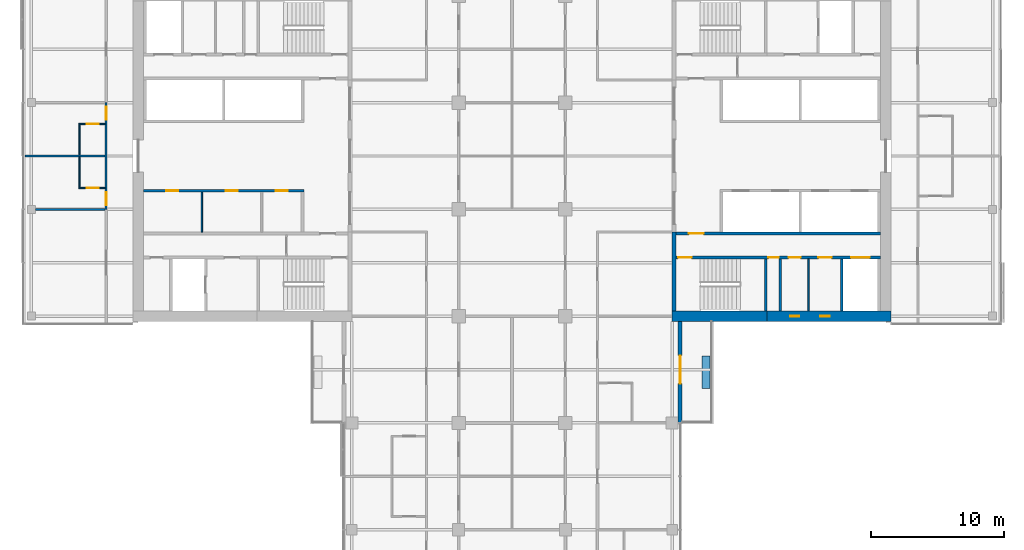
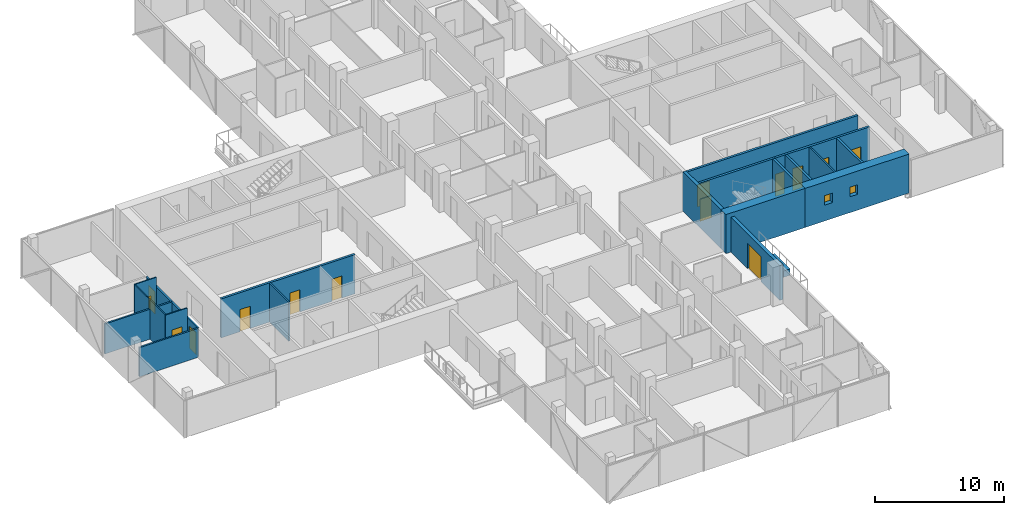
# One storey, part 17 of 27: 21 walls, 14 doors, 2 windows, 16 openings.
"""IFC4 building model written with IfcOpenShell, lengths in metres."""

import ifcopenshell
import ifcopenshell.guid

model = None  # the IFC model being written
_history = None  # IfcOwnerHistory: only IFC2X3 demands one
_inside = {}  # id of a spatial element -> (the spatial element, [elements in it])
_under = {}  # id of a project, library or spatial element -> (it, [spatial elements below it])
_declared = {}  # id of a project -> (the project, [libraries it declares])
_typed = {}  # id of a type object -> (the type object, [elements of that type])
_made_of = {}  # id of a material, layer set ... -> (it, [elements and type objects made of it])


def new_model(schema):
    """Start an empty IFC model of exactly this schema.

    Asked for "IFC4X3", IfcOpenShell would pick the latest addendum, in which some entities
    have other attributes; the version numbers below select the first issue.
    IFC2X3 requires an IfcOwnerHistory on every rooted entity: one is made here for all.
    """
    global model, _history
    if schema == "IFC4X3":
        model = ifcopenshell.file(schema_version=(4, 3, 0, 0))
    else:
        model = ifcopenshell.file(schema=schema)
    _inside.clear()
    _under.clear()
    _declared.clear()
    _typed.clear()
    _made_of.clear()
    _history = None
    if model.schema == "IFC2X3":
        org = make("IfcOrganization", Name="unknown")
        user = make(
            "IfcPersonAndOrganization",
            ThePerson=make("IfcPerson", FamilyName="unknown"),
            TheOrganization=org,
        )
        app = make(
            "IfcApplication",
            ApplicationDeveloper=org,
            Version="unknown",
            ApplicationFullName="unknown",
            ApplicationIdentifier="unknown",
        )
        _history = make(
            "IfcOwnerHistory",
            OwningUser=user,
            OwningApplication=app,
            ChangeAction="ADDED",
            CreationDate=0,
        )
    return model


def make(cls, **values):
    """One entity of the class cls with the attributes given. An attribute that is None is left unset."""
    return model.create_entity(
        cls, **{name: value for name, value in values.items() if value is not None}
    )


def rooted(cls, **values):
    """An entity with a GlobalId (a new one), such as an element, a storey or a relation."""
    return make(cls, GlobalId=ifcopenshell.guid.new(), OwnerHistory=_history, **values)


def si_unit(unit_type, name, prefix=None):
    """IfcSIUnit, for example si_unit("LENGTHUNIT", "METRE", prefix="MILLI")."""
    return make("IfcSIUnit", UnitType=unit_type, Prefix=prefix, Name=name)


def assignment(units):
    """IfcUnitAssignment: the units of a project."""
    return None if units is None else make("IfcUnitAssignment", Units=units)


def point(xyz):
    """IfcCartesianPoint."""
    return None if xyz is None else make("IfcCartesianPoint", Coordinates=xyz)


def direction(xyz):
    """IfcDirection."""
    return None if xyz is None else make("IfcDirection", DirectionRatios=xyz)


def frame(location, z_axis=None, x_axis=None):
    """IfcAxis2Placement3D, a coordinate frame: its origin and axes. An axis left out is left unset."""
    return make(
        "IfcAxis2Placement3D",
        Location=point(location),
        Axis=direction(z_axis),
        RefDirection=direction(x_axis),
    )


def frame_2d(location, x_axis=None):
    """IfcAxis2Placement2D, a coordinate frame in the plane: its origin and x axis."""
    return make(
        "IfcAxis2Placement2D", Location=point(location), RefDirection=direction(x_axis)
    )


def origin():
    """The frame at (0, 0, 0) with its axes left unset."""
    return frame((0.0, 0.0, 0.0))


def place(relative_to, where):
    """IfcLocalPlacement: puts the frame where relative to a parent placement (None: the world)."""
    return make(
        "IfcLocalPlacement", PlacementRelTo=relative_to, RelativePlacement=where
    )


def context(
    kind, dimensions, precision=None, world=None, true_north=None, identifier=None
):
    """IfcGeometricRepresentationContext, for example the 3D "Model" context."""
    return make(
        "IfcGeometricRepresentationContext",
        ContextIdentifier=identifier,
        ContextType=kind,
        CoordinateSpaceDimension=dimensions,
        Precision=precision,
        WorldCoordinateSystem=world,
        TrueNorth=true_north,
    )


def subcontext(parent, identifier, kind, view, scale=None):
    """IfcGeometricRepresentationSubContext, for example "Body" below "Model"."""
    return make(
        "IfcGeometricRepresentationSubContext",
        ContextIdentifier=identifier,
        ContextType=kind,
        ParentContext=parent,
        TargetScale=scale,
        TargetView=view,
    )


def project(units=None, contexts=None):
    """IfcProject with its units and contexts."""
    return rooted(
        "IfcProject",
        Name="project",
        RepresentationContexts=contexts,
        UnitsInContext=assignment(units),
    )


def spatial(cls, under=None, at=None, **own):
    """A site, building, storey or space (cls), placed at a placement, below another one or the project."""
    s = rooted(cls, ObjectPlacement=at, **own)
    if under is not None:
        _under.setdefault(under.id(), (under, []))[1].append(s)
    return s


def profile(cls, at=None, kind="AREA", **sizes):
    """A parametric profile (cls). Its sizes go by their IFC names, for example OverallWidth=200.0."""
    return make(cls, ProfileType=kind, Position=at, **sizes)


def rectangle(**sizes):
    """IfcRectangleProfileDef."""
    return profile("IfcRectangleProfileDef", **sizes)


def extrude(swept, where, along, depth):
    """IfcExtrudedAreaSolid: the profile swept, set in the frame where, extruded along a direction by depth."""
    return make(
        "IfcExtrudedAreaSolid",
        SweptArea=swept,
        Position=where,
        ExtrudedDirection=direction(along),
        Depth=depth,
    )


def shape(context_of_items, identifier, shape_type, items):
    """IfcShapeRepresentation: the items that make up one representation, for example the "Body"."""
    return make(
        "IfcShapeRepresentation",
        ContextOfItems=context_of_items,
        RepresentationIdentifier=identifier,
        RepresentationType=shape_type,
        Items=items,
    )


def material(Name=None, Category=None):
    """IfcMaterial."""
    return make("IfcMaterial", Name=Name, Category=Category)


def layer(
    of_material, thickness, ventilated=None, Name=None, Category=None, Priority=None
):
    """IfcMaterialLayer: one layer of a wall or slab, of a material (None: an air gap)."""
    return make(
        "IfcMaterialLayer",
        Material=of_material,
        LayerThickness=thickness,
        IsVentilated=ventilated,
        Name=Name,
        Category=Category,
        Priority=Priority,
    )


def layer_set(layers, Name=None):
    """IfcMaterialLayerSet."""
    return make("IfcMaterialLayerSet", MaterialLayers=layers, LayerSetName=Name)


def constituent(of_material, Name=None, Category=None, fraction=None):
    """IfcMaterialConstituent: one of the materials an element consists of."""
    return make(
        "IfcMaterialConstituent",
        Name=Name,
        Material=of_material,
        Fraction=fraction,
        Category=Category,
    )


def constituent_set(constituents=None, Name=None):
    """IfcMaterialConstituentSet."""
    return make(
        "IfcMaterialConstituentSet", Name=Name, MaterialConstituents=constituents
    )


def made_of(thing, what):
    """Note that an element or type object is made of a material, layer set ...; save() writes the relation."""
    if what is not None:
        _made_of.setdefault(what.id(), (what, []))[1].append(thing)
    return thing


def type_object(cls, material=None, **own):
    """A type object (cls), such as IfcWallType, which elements share."""
    return made_of(rooted(cls, **own), material)


def element(
    cls,
    number,
    at=None,
    inside=None,
    cuts=None,
    type_object=None,
    material=None,
    context=None,
    identifier="Body",
    shape_type=None,
    held_by="IfcProductDefinitionShape",
    body=None,
    shapes=None,
    **own,
):
    """One element of the class cls, such as IfcWall. Its Tag is "e" and its number.

    at: its placement. inside: the storey or other place that contains it. cuts: it is an
    opening in that element (IfcRelVoidsElement). A single representation is given by context,
    identifier, shape_type and body (its items); several are given by shapes. held_by: the class
    of the entity that holds the representations. save() writes the other relations.
    """
    e = rooted(cls, Tag="e%d" % number, ObjectPlacement=at, **own)
    if body is not None:
        shapes = [shape(context, identifier, shape_type, body)]
    if shapes is not None:
        e.Representation = make(held_by, Representations=shapes)
    if inside is not None:
        _inside.setdefault(inside.id(), (inside, []))[1].append(e)
    if cuts is not None:
        rooted(
            "IfcRelVoidsElement", RelatingBuildingElement=cuts, RelatedOpeningElement=e
        )
    if type_object is not None:
        _typed.setdefault(type_object.id(), (type_object, []))[1].append(e)
    return made_of(e, material)


def fill(opening, filler):
    """IfcRelFillsElement: the door or window that sits in an opening."""
    return rooted(
        "IfcRelFillsElement",
        RelatingOpeningElement=opening,
        RelatedBuildingElement=filler,
    )


def aggregate(whole, parts):
    """IfcRelAggregates: a whole, such as a stair, and the parts it consists of."""
    return rooted("IfcRelAggregates", RelatingObject=whole, RelatedObjects=parts)


def save(model, path):
    """Write the relations noted so far, then the file.

    IfcRelAggregates (storeys below a building ...), IfcRelContainedInSpatialStructure (elements
    in a storey), IfcRelDefinesByType, IfcRelAssociatesMaterial and IfcRelDeclares: one each for
    every whole, place, type object, material and project.
    """
    for whole, parts in _under.values():
        aggregate(whole, parts)
    for where, things in _inside.values():
        rooted(
            "IfcRelContainedInSpatialStructure",
            RelatedElements=things,
            RelatingStructure=where,
        )
    for kind, things in _typed.values():
        rooted("IfcRelDefinesByType", RelatedObjects=things, RelatingType=kind)
    for what, things in _made_of.values():
        rooted("IfcRelAssociatesMaterial", RelatedObjects=things, RelatingMaterial=what)
    for by, libraries in _declared.values():
        rooted("IfcRelDeclares", RelatingContext=by, RelatedDefinitions=libraries)
    model.write(path)


model = new_model("IFC4")

# Units and contexts
model_context = context("Model", 3, precision=1e-05, world=origin(), true_north=direction((0.0, 1.0)))
body_context = subcontext(model_context, "Body", "Model", "MODEL_VIEW")
ifc_project = project(units=[si_unit("LENGTHUNIT", "METRE"), si_unit("AREAUNIT", "SQUARE_METRE"), si_unit("VOLUMEUNIT", "CUBIC_METRE"), si_unit("PLANEANGLEUNIT", "RADIAN"), si_unit("MASSUNIT", "GRAM", prefix="KILO")], contexts=[model_context])

# Site, building, storey
site_placement = place(None, origin())
site = spatial("IfcSite", under=ifc_project, at=site_placement, CompositionType="ELEMENT")
building_placement = place(site_placement, origin())
building = spatial("IfcBuilding", under=site, at=building_placement, Name="Crosswind Convention Tower", CompositionType="ELEMENT")
storey_placement = place(building_placement, frame((0.0, 0.0, 101.60009765625)))
storey = spatial("IfcBuildingStorey", under=building, at=storey_placement, Name="L20", CompositionType="ELEMENT", Elevation=101.60009765625)

# Walls
ifc_material_1 = material(Name="Concrete blockwork", Category="masonry")
ifc_layer_1 = layer(ifc_material_1, 0.199951171875)
ifc_layer_set_1 = layer_set([ifc_layer_1], Name="Blockwork partition wall 200")
wall_type_1 = type_object("IfcWallType", Name="Blockwork partition wall 200", PredefinedType="PARTITIONING", material=ifc_layer_set_1)
wall_1_placement = place(storey_placement, frame((145.10009765625, 88.39990234375, 0.0), z_axis=(0.0, 0.0, 1.0), x_axis=(0.0, 1.0, 0.0)))
element("IfcWall", 1, at=wall_1_placement, inside=storey, type_object=wall_type_1, Name="Wall MRSE E L20", PredefinedType="PARTITIONING", context=body_context, shape_type="SweptSolid", body=[
    extrude(rectangle(XDim=3.900146484375, YDim=0.199951171875, at=frame_2d((1.9501953125, 0.0))), origin(), (0.0, 0.0, 1.0), 3.699951171875),
])
ifc_material_2 = material(Name="Concrete C50/60", Category="concrete")
ifc_layer_2 = layer(ifc_material_2, 0.300048828125)
ifc_layer_set_2 = layer_set([ifc_layer_2], Name="Concrete C50/60")
wall_type_2 = type_object("IfcWallType", Name="Concrete inner core wall 300", PredefinedType="SHEAR", material=ifc_layer_set_2)
wall_2_placement = place(storey_placement, frame((137.14990234375, 88.39990234375, 0.0), z_axis=(0.0, 0.0, 1.0), x_axis=(0.0, 1.0, 0.0)))
element("IfcWall", 2, at=wall_2_placement, inside=storey, type_object=wall_type_2, Name="Wall EM E L20", PredefinedType="SHEAR", context=body_context, shape_type="SweptSolid", body=[
    extrude(rectangle(XDim=5.900146484375, YDim=0.300048828125, at=frame_2d((2.9501953125, 0.0))), origin(), (0.0, 0.0, 1.0), 3.699951171875),
])

# Wall, opening, door
ifc_layer_3 = layer(ifc_material_2, 0.199951171875)
ifc_layer_set_3 = layer_set([ifc_layer_3], Name="Concrete C50/60")
wall_type_3 = type_object("IfcWallType", Name="Concrete shaft and stair wall 200", PredefinedType="SHEAR", material=ifc_layer_set_3)
wall_3_placement = place(storey_placement, frame((137.300048828125, 94.199951171875, 0.0), z_axis=(0.0, 0.0, 1.0), x_axis=(1.0, 0.0, 0.0)))
wall_3 = element("IfcWall", 3, at=wall_3_placement, inside=storey, type_object=wall_type_3, Name="Wall HM E L20", PredefinedType="SHEAR", context=body_context, shape_type="SweptSolid", body=[
    extrude(rectangle(XDim=15.300048828125, YDim=0.199951171875, at=frame_2d((7.64990234375, 0.0))), origin(), (0.0, 0.0, 1.0), 3.699951171875),
])
opening_1_placement = place(wall_3_placement, frame((0.949951171875, 0.0, 0.0)))
opening_1 = element("IfcOpeningElement", 4, at=opening_1_placement, cuts=wall_3, Name="Opening D104", PredefinedType="OPENING", context=body_context, shape_type="SweptSolid", body=[
    extrude(rectangle(XDim=1.10009765625, YDim=2.10009765625, at=frame_2d((0.550048828125, 1.050048828125))), frame((0.0, 0.10986328125, 0.0), z_axis=(0.0, -1.0, 0.0), x_axis=(1.0, 0.0, 0.0)), (0.0, 0.0, 1.0), 0.219970703125),
])
ifc_material_3 = material(Name="Steel fire door", Category="steel")
door_type_1 = type_object("IfcDoorType", Name="Fire-rated single door 1100x2100", OperationType="NOTDEFINED", PredefinedType="DOOR", material=ifc_material_3)
door_1_placement = place(opening_1_placement, origin())
door_1 = element("IfcDoor", 5, at=door_1_placement, inside=storey, type_object=door_type_1, Name="Corridor door L20", ObjectType="D104", OperationType="SINGLE_SWING_LEFT", OverallHeight=2.10009765625, OverallWidth=1.10009765625, PredefinedType="DOOR", context=body_context, shape_type="SweptSolid", body=[
    extrude(rectangle(XDim=1.10009765625, YDim=2.10009765625, at=frame_2d((0.550048828125, 1.050048828125))), frame((0.0, 0.02490234375, 0.0), z_axis=(0.0, -1.0, 0.0), x_axis=(1.0, 0.0, 0.0)), (0.0, 0.0, 1.0), 0.050048828125),
])
fill(opening_1, door_1)

# Walls
for number, where, z_axis, x_axis, name in (
    (6, (144.0, 88.39990234375, 0.0), (0.0, 0.0, 1.0), (0.0, 1.0, 0.0), "Wall MSE E L20"),
    (7, (149.699951171875, 88.39990234375, 0.0), (0.0, 0.0, 1.0), (0.0, 1.0, 0.0), "Wall MFSW E L20"),
):
    element("IfcWall", number, at=place(storey_placement, frame(where, z_axis=z_axis, x_axis=x_axis)), inside=storey, type_object=wall_type_3, Name=name, PredefinedType="SHEAR", context=body_context, shape_type="SweptSolid", body=[
        extrude(rectangle(XDim=3.900146484375, YDim=0.199951171875, at=frame_2d((1.9501953125, 0.0))), origin(), (0.0, 0.0, 1.0), 3.699951171875),
    ])

# Wall, opening, door
wall_4_placement = place(storey_placement, frame((137.300048828125, 92.39990234375, 0.0), z_axis=(0.0, 0.0, 1.0), x_axis=(1.0, 0.0, 0.0)))
wall_4 = element("IfcWall", 8, at=wall_4_placement, inside=storey, type_object=wall_type_3, Name="Wall MCW E L20", PredefinedType="SHEAR", context=body_context, shape_type="SweptSolid", body=[
    extrude(rectangle(XDim=6.800048828125, YDim=0.199951171875, at=frame_2d((3.39990234375, 0.0))), origin(), (0.0, 0.0, 1.0), 3.699951171875),
])
opening_2_placement = place(wall_4_placement, frame((0.14990234375, 0.0, 0.0)))
opening_2 = element("IfcOpeningElement", 9, at=opening_2_placement, cuts=wall_4, Name="Opening D103", PredefinedType="OPENING", context=body_context, shape_type="SweptSolid", body=[
    extrude(rectangle(XDim=1.0, YDim=2.10009765625, at=frame_2d((0.5, 1.050048828125))), frame((0.0, 0.10986328125, 0.0), z_axis=(0.0, -1.0, 0.0), x_axis=(1.0, 0.0, 0.0)), (0.0, 0.0, 1.0), 0.219970703125),
])
door_type_2 = type_object("IfcDoorType", Name="Fire-rated single door 1000x2100", OperationType="NOTDEFINED", PredefinedType="DOOR", material=ifc_material_3)
door_2_placement = place(opening_2_placement, frame((1.0, 0.0, 0.0), z_axis=(0.0, 0.0, 1.0), x_axis=(-1.0, 0.0, 0.0)))
door_2 = element("IfcDoor", 10, at=door_2_placement, inside=storey, type_object=door_type_2, Name="Stair ST2 door L20", ObjectType="D103", OperationType="SINGLE_SWING_RIGHT", OverallHeight=2.10009765625, OverallWidth=1.0, PredefinedType="DOOR", context=body_context, shape_type="SweptSolid", body=[
    extrude(rectangle(XDim=1.0, YDim=2.10009765625, at=frame_2d((0.5, 1.050048828125))), frame((0.0, 0.02490234375, 0.0), z_axis=(0.0, -1.0, 0.0), x_axis=(1.0, 0.0, 0.0)), (0.0, 0.0, 1.0), 0.050048828125),
])
fill(opening_2, door_2)

# Wall, openings, doors
wall_5_placement = place(storey_placement, frame((144.10009765625, 92.39990234375, 0.0), z_axis=(0.0, 0.0, 1.0), x_axis=(1.0, 0.0, 0.0)))
wall_5 = element("IfcWall", 11, at=wall_5_placement, inside=storey, type_object=wall_type_3, Name="Wall MCX E L20", PredefinedType="SHEAR", context=body_context, shape_type="SweptSolid", body=[
    extrude(rectangle(XDim=8.5, YDim=0.199951171875, at=frame_2d((4.25, 0.0))), origin(), (0.0, 0.0, 1.0), 3.699951171875),
])
opening_3_placement = place(wall_5_placement, frame((0.10009765625, 0.0, 0.0)))
opening_3 = element("IfcOpeningElement", 12, at=opening_3_placement, cuts=wall_5, Name="Opening D105", PredefinedType="OPENING", context=body_context, shape_type="SweptSolid", body=[
    extrude(rectangle(XDim=0.800048828125, YDim=2.10009765625, at=frame_2d((0.39990234375, 1.050048828125))), frame((0.0, 0.10986328125, 0.0), z_axis=(0.0, -1.0, 0.0), x_axis=(1.0, 0.0, 0.0)), (0.0, 0.0, 1.0), 0.219970703125),
])
opening_4_placement = place(wall_5_placement, frame((1.630859375, 0.0, 0.0)))
opening_4 = element("IfcOpeningElement", 13, at=opening_4_placement, cuts=wall_5, Name="Opening D106", PredefinedType="OPENING", context=body_context, shape_type="SweptSolid", body=[
    extrude(rectangle(XDim=0.89990234375, YDim=2.10009765625, at=frame_2d((0.449951171875, 1.050048828125))), frame((0.0, 0.10986328125, 0.0), z_axis=(0.0, -1.0, 0.0), x_axis=(1.0, 0.0, 0.0)), (0.0, 0.0, 1.0), 0.219970703125),
])
opening_5_placement = place(wall_5_placement, frame((3.84326171875, 0.0, 0.0)))
opening_5 = element("IfcOpeningElement", 14, at=opening_5_placement, cuts=wall_5, Name="Opening D103", PredefinedType="OPENING", context=body_context, shape_type="SweptSolid", body=[
    extrude(rectangle(XDim=1.0, YDim=2.10009765625, at=frame_2d((0.5, 1.050048828125))), frame((0.0, 0.10986328125, 0.0), z_axis=(0.0, -1.0, 0.0), x_axis=(1.0, 0.0, 0.0)), (0.0, 0.0, 1.0), 0.219970703125),
])
opening_6_placement = place(wall_5_placement, frame((6.300048828125, 0.0, 0.0)))
opening_6 = element("IfcOpeningElement", 15, at=opening_6_placement, cuts=wall_5, Name="Opening LD2", PredefinedType="OPENING", context=body_context, shape_type="SweptSolid", body=[
    extrude(rectangle(XDim=1.39990234375, YDim=2.10009765625, at=frame_2d((0.699951171875, 1.050048828125))), frame((0.0, 0.10986328125, 0.0), z_axis=(0.0, -1.0, 0.0), x_axis=(1.0, 0.0, 0.0)), (0.0, 0.0, 1.0), 0.219970703125),
])
door_3_placement = place(opening_5_placement, frame((1.0, 0.0, 0.0), z_axis=(0.0, 0.0, 1.0), x_axis=(-1.0, 0.0, 0.0)))
door_3 = element("IfcDoor", 16, at=door_3_placement, inside=storey, type_object=door_type_2, Name="Door to accessible wc L20", ObjectType="D103", OperationType="SINGLE_SWING_LEFT", OverallHeight=2.10009765625, OverallWidth=1.0, PredefinedType="DOOR", context=body_context, shape_type="SweptSolid", body=[
    extrude(rectangle(XDim=1.0, YDim=2.10009765625, at=frame_2d((0.5, 1.050048828125))), frame((0.0, 0.02490234375, 0.0), z_axis=(0.0, -1.0, 0.0), x_axis=(1.0, 0.0, 0.0)), (0.0, 0.0, 1.0), 0.050048828125),
])
fill(opening_5, door_3)
ifc_material_4 = material(Name="Stainless steel", Category="steel")
door_type_3 = type_object("IfcDoorType", Name="Lift landing door 1400x2100", OperationType="DOUBLE_DOOR_SLIDING", PredefinedType="DOOR", material=ifc_material_4)
door_4_placement = place(opening_6_placement, origin())
door_4 = element("IfcDoor", 17, at=door_4_placement, inside=storey, type_object=door_type_3, Name="Landing door SV1 L20", ObjectType="LD2", OperationType="DOUBLE_DOOR_SLIDING", OverallHeight=2.10009765625, OverallWidth=1.39990234375, PredefinedType="DOOR", context=body_context, shape_type="SweptSolid", body=[
    extrude(rectangle(XDim=1.39990234375, YDim=2.10009765625, at=frame_2d((0.699951171875, 1.050048828125))), frame((0.0, 0.02490234375, 0.0), z_axis=(0.0, -1.0, 0.0), x_axis=(1.0, 0.0, 0.0)), (0.0, 0.0, 1.0), 0.050048828125),
])
fill(opening_6, door_4)
door_type_4 = type_object("IfcDoorType", Name="Riser access door 800x2100", OperationType="NOTDEFINED", PredefinedType="DOOR", material=ifc_material_3)
door_5_placement = place(opening_3_placement, frame((0.800048828125, 0.0, 0.0), z_axis=(0.0, 0.0, 1.0), x_axis=(-1.0, 0.0, 0.0)))
door_5 = element("IfcDoor", 18, at=door_5_placement, inside=storey, type_object=door_type_4, Name="Riser door L20", ObjectType="D105", OperationType="SINGLE_SWING_LEFT", OverallHeight=2.10009765625, OverallWidth=0.800048828125, PredefinedType="DOOR", context=body_context, shape_type="SweptSolid", body=[
    extrude(rectangle(XDim=0.800048828125, YDim=2.10009765625, at=frame_2d((0.39990234375, 1.050048828125))), frame((0.0, 0.02490234375, 0.0), z_axis=(0.0, -1.0, 0.0), x_axis=(1.0, 0.0, 0.0)), (0.0, 0.0, 1.0), 0.050048828125),
])
fill(opening_3, door_5)
ifc_material_5 = material(Name="Timber door", Category="wood")
door_type_5 = type_object("IfcDoorType", Name="Single leaf door 900x2100", OperationType="NOTDEFINED", PredefinedType="DOOR", material=ifc_material_5)
door_6_placement = place(opening_4_placement, frame((0.89990234375, 0.0, 0.0), z_axis=(0.0, 0.0, 1.0), x_axis=(-1.0, 0.0, 0.0)))
door_6 = element("IfcDoor", 19, at=door_6_placement, inside=storey, type_object=door_type_5, Name="Door to wc L20", ObjectType="D106", OperationType="SINGLE_SWING_LEFT", OverallHeight=2.10009765625, OverallWidth=0.89990234375, PredefinedType="DOOR", context=body_context, shape_type="SweptSolid", body=[
    extrude(rectangle(XDim=0.89990234375, YDim=2.10009765625, at=frame_2d((0.449951171875, 1.050048828125))), frame((0.0, 0.02490234375, 0.0), z_axis=(0.0, -1.0, 0.0), x_axis=(1.0, 0.0, 0.0)), (0.0, 0.0, 1.0), 0.050048828125),
])
fill(opening_4, door_6)

wall_6_placement = place(storey_placement, frame((109.39990234375, 97.39990234375, 0.0), z_axis=(0.0, 0.0, 1.0), x_axis=(-1.0, 0.0, 0.0)))
wall_6 = element("IfcWall", 20, at=wall_6_placement, inside=storey, type_object=wall_type_3, Name="Wall RPFRONT W L20", PredefinedType="SHEAR", context=body_context, shape_type="SweptSolid", body=[
    extrude(rectangle(XDim=12.0, YDim=0.199951171875, at=frame_2d((6.0, 0.0))), origin(), (0.0, 0.0, 1.0), 3.699951171875),
])
opening_7_placement = place(wall_6_placement, frame((1.19384765625, 0.0, 0.0)))
opening_7 = element("IfcOpeningElement", 21, at=opening_7_placement, cuts=wall_6, Name="Opening D106", PredefinedType="OPENING", context=body_context, shape_type="SweptSolid", body=[
    extrude(rectangle(XDim=0.89990234375, YDim=2.10009765625, at=frame_2d((0.449951171875, 1.050048828125))), frame((0.0, 0.10986328125, 0.0), z_axis=(0.0, -1.0, 0.0), x_axis=(1.0, 0.0, 0.0)), (0.0, 0.0, 1.0), 0.219970703125),
])
opening_8_placement = place(wall_6_placement, frame((4.94189453125, 0.0, 0.0)))
opening_8 = element("IfcOpeningElement", 22, at=opening_8_placement, cuts=wall_6, Name="Opening D106", PredefinedType="OPENING", context=body_context, shape_type="SweptSolid", body=[
    extrude(rectangle(XDim=0.89990234375, YDim=2.10009765625, at=frame_2d((0.449951171875, 1.050048828125))), frame((0.0, 0.10986328125, 0.0), z_axis=(0.0, -1.0, 0.0), x_axis=(1.0, 0.0, 0.0)), (0.0, 0.0, 1.0), 0.219970703125),
])
opening_9_placement = place(wall_6_placement, frame((9.398193359375, 0.0, 0.0)))
opening_9 = element("IfcOpeningElement", 23, at=opening_9_placement, cuts=wall_6, Name="Opening D106", PredefinedType="OPENING", context=body_context, shape_type="SweptSolid", body=[
    extrude(rectangle(XDim=0.89990234375, YDim=2.10009765625, at=frame_2d((0.449951171875, 1.050048828125))), frame((0.0, 0.10986328125, 0.0), z_axis=(0.0, -1.0, 0.0), x_axis=(1.0, 0.0, 0.0)), (0.0, 0.0, 1.0), 0.219970703125),
])
door_7_placement = place(opening_7_placement, origin())
door_7 = element("IfcDoor", 24, at=door_7_placement, inside=storey, type_object=door_type_5, Name="Door to meeting room L20", ObjectType="D106", OperationType="SINGLE_SWING_RIGHT", OverallHeight=2.10009765625, OverallWidth=0.89990234375, PredefinedType="DOOR", context=body_context, shape_type="SweptSolid", body=[
    extrude(rectangle(XDim=0.89990234375, YDim=2.10009765625, at=frame_2d((0.449951171875, 1.050048828125))), frame((0.0, 0.02490234375, 0.0), z_axis=(0.0, -1.0, 0.0), x_axis=(1.0, 0.0, 0.0)), (0.0, 0.0, 1.0), 0.050048828125),
])
fill(opening_7, door_7)
door_8_placement = place(opening_8_placement, origin())
door_8 = element("IfcDoor", 25, at=door_8_placement, inside=storey, type_object=door_type_5, Name="Door to business centre L20", ObjectType="D106", OperationType="SINGLE_SWING_RIGHT", OverallHeight=2.10009765625, OverallWidth=0.89990234375, PredefinedType="DOOR", context=body_context, shape_type="SweptSolid", body=[
    extrude(rectangle(XDim=0.89990234375, YDim=2.10009765625, at=frame_2d((0.449951171875, 1.050048828125))), frame((0.0, 0.02490234375, 0.0), z_axis=(0.0, -1.0, 0.0), x_axis=(1.0, 0.0, 0.0)), (0.0, 0.0, 1.0), 0.050048828125),
])
fill(opening_8, door_8)
door_9_placement = place(opening_9_placement, origin())
door_9 = element("IfcDoor", 26, at=door_9_placement, inside=storey, type_object=door_type_5, Name="Door to ice and vending room L20", ObjectType="D106", OperationType="SINGLE_SWING_RIGHT", OverallHeight=2.10009765625, OverallWidth=0.89990234375, PredefinedType="DOOR", context=body_context, shape_type="SweptSolid", body=[
    extrude(rectangle(XDim=0.89990234375, YDim=2.10009765625, at=frame_2d((0.449951171875, 1.050048828125))), frame((0.0, 0.02490234375, 0.0), z_axis=(0.0, -1.0, 0.0), x_axis=(1.0, 0.0, 0.0)), (0.0, 0.0, 1.0), 0.050048828125),
])
fill(opening_9, door_9)

# Walls
ifc_material_6 = material(Name="Gypsum plasterboard partition", Category="gypsum")
ifc_layer_4 = layer(ifc_material_6, 0.125)
ifc_layer_set_4 = layer_set([ifc_layer_4], Name="Drywall partition wall 125")
wall_type_4 = type_object("IfcWallType", Name="Drywall partition wall 125", PredefinedType="PARTITIONING", material=ifc_layer_set_4)
wall_7_placement = place(storey_placement, frame((147.22412109375, 88.39990234375, 0.0), z_axis=(0.0, 0.0, 1.0), x_axis=(0.0, 1.0, 0.0)))
element("IfcWall", 27, at=wall_7_placement, inside=storey, type_object=wall_type_4, Name="Wall MWP1 E L20", PredefinedType="PARTITIONING", context=body_context, shape_type="SweptSolid", body=[
    extrude(rectangle(XDim=3.900146484375, YDim=0.125, at=frame_2d((1.9501953125, 0.0))), origin(), (0.0, 0.0, 1.0), 3.699951171875),
])
wall_8_placement = place(storey_placement, frame((101.76611328125, 97.300048828125, 0.0), z_axis=(0.0, 0.0, 1.0), x_axis=(0.0, -1.0, 0.0)))
element("IfcWall", 28, at=wall_8_placement, inside=storey, type_object=wall_type_4, Name="Wall RPP2 W L20", PredefinedType="PARTITIONING", context=body_context, shape_type="SweptSolid", body=[
    extrude(rectangle(XDim=3.0, YDim=0.125, at=frame_2d((1.5, 0.0))), origin(), (0.0, 0.0, 1.0), 3.699951171875),
])
ifc_material_7 = material(Name="Acoustic plasterboard partition", Category="gypsum")
ifc_layer_5 = layer(ifc_material_7, 0.14990234375)
ifc_layer_set_5 = layer_set([ifc_layer_5], Name="GUEST ROOM WALL 150")
wall_type_5 = type_object("IfcWallType", Name="GUEST ROOM WALL 150", PredefinedType="PARTITIONING", material=ifc_layer_set_5)
wall_9_placement = place(storey_placement, frame((89.300048828125, 96.0, 0.0), z_axis=(0.0, 0.0, 1.0), x_axis=(1.0, 0.0, 0.0)))
element("IfcWall", 29, at=wall_9_placement, inside=storey, type_object=wall_type_5, Name="Guest Room Wall 20", PredefinedType="PARTITIONING", context=body_context, shape_type="SweptSolid", body=[
    extrude(rectangle(XDim=5.224853515625, YDim=0.14990234375, at=frame_2d((2.6123046875, 0.0))), origin(), (0.0, 0.0, 1.0), 2.75537109375),
])
wall_10_placement = place(storey_placement, frame((88.5, 100.0, 0.0), z_axis=(0.0, 0.0, 1.0), x_axis=(1.0, 0.0, 0.0)))
element("IfcWall", 30, at=wall_10_placement, inside=storey, type_object=wall_type_5, Name="Guest Room Wall 24", PredefinedType="PARTITIONING", context=body_context, shape_type="SweptSolid", body=[
    extrude(rectangle(XDim=6.02490234375, YDim=0.14990234375, at=frame_2d((3.012451171875, 0.0))), origin(), (0.0, 0.0, 1.0), 2.8427734375),
])

# Wall, openings, doors
wall_11_placement = place(storey_placement, frame((94.60009765625, 96.0, 0.0), z_axis=(0.0, 0.0, 1.0), x_axis=(0.0, 1.0, 0.0)))
wall_11 = element("IfcWall", 31, at=wall_11_placement, inside=storey, type_object=wall_type_5, Name="Guest Room Wall 52", PredefinedType="PARTITIONING", context=body_context, shape_type="SweptSolid", body=[
    extrude(rectangle(XDim=8.0, YDim=0.14990234375, at=frame_2d((4.0, 0.0))), origin(), (0.0, 0.0, 1.0), 2.75537109375),
])
opening_10_placement = place(wall_11_placement, frame((0.300048828125, 0.0, 0.0)))
opening_10 = element("IfcOpeningElement", 32, at=opening_10_placement, cuts=wall_11, Name="Opening 20.032", PredefinedType="OPENING", context=body_context, shape_type="SweptSolid", body=[
    extrude(rectangle(XDim=1.0, YDim=2.10009765625, at=frame_2d((0.5, 1.050048828125))), frame((0.0, 0.0849609375, 0.0), z_axis=(0.0, -1.0, 0.0), x_axis=(1.0, 0.0, 0.0)), (0.0, 0.0, 1.0), 0.169921875),
])
opening_11_placement = place(wall_11_placement, frame((6.699951171875, 0.0, 0.0)))
opening_11 = element("IfcOpeningElement", 33, at=opening_11_placement, cuts=wall_11, Name="Opening 20.034", PredefinedType="OPENING", context=body_context, shape_type="SweptSolid", body=[
    extrude(rectangle(XDim=1.0, YDim=2.10009765625, at=frame_2d((0.5, 1.050048828125))), frame((0.0, 0.0849609375, 0.0), z_axis=(0.0, -1.0, 0.0), x_axis=(1.0, 0.0, 0.0)), (0.0, 0.0, 1.0), 0.169921875),
])
ifc_material_8 = material(Name="Timber fire door", Category="wood")
door_type_6 = type_object("IfcDoorType", Name="GUEST ROOM DOOR 1000X2100", OperationType="NOTDEFINED", PredefinedType="DOOR", material=ifc_material_8)
door_10_placement = place(opening_10_placement, origin())
door_10 = element("IfcDoor", 34, at=door_10_placement, inside=storey, type_object=door_type_6, Name="Door 20.032", ObjectType="D1", OperationType="SINGLE_SWING_RIGHT", OverallHeight=2.10009765625, OverallWidth=1.0, PredefinedType="DOOR", context=body_context, shape_type="SweptSolid", body=[
    extrude(rectangle(XDim=1.0, YDim=2.10009765625, at=frame_2d((0.5, 1.050048828125))), frame((0.0, 0.02490234375, 0.0), z_axis=(0.0, -1.0, 0.0), x_axis=(1.0, 0.0, 0.0)), (0.0, 0.0, 1.0), 0.050048828125),
])
fill(opening_10, door_10)
door_11_placement = place(opening_11_placement, origin())
door_11 = element("IfcDoor", 35, at=door_11_placement, inside=storey, type_object=door_type_6, Name="Door 20.034", ObjectType="D1", OperationType="SINGLE_SWING_RIGHT", OverallHeight=2.10009765625, OverallWidth=1.0, PredefinedType="DOOR", context=body_context, shape_type="SweptSolid", body=[
    extrude(rectangle(XDim=1.0, YDim=2.10009765625, at=frame_2d((0.5, 1.050048828125))), frame((0.0, 0.02490234375, 0.0), z_axis=(0.0, -1.0, 0.0), x_axis=(1.0, 0.0, 0.0)), (0.0, 0.0, 1.0), 0.050048828125),
])
fill(opening_11, door_11)

# Wall
ifc_material_9 = material(Name="Concrete C30/37", Category="concrete")
ifc_layer_6 = layer(ifc_material_9, 0.60009765625)
ifc_layer_set_6 = layer_set([ifc_layer_6], Name="Concrete C30/37")
wall_type_6 = type_object("IfcWallType", Name="PLANTER BOX WALL 600", PredefinedType="SOLIDWALL", material=ifc_layer_set_6)
wall_12_placement = place(storey_placement, frame((139.550048828125, 82.60009765625, 0.0), z_axis=(0.0, 0.0, 1.0), x_axis=(0.0, 1.0, 0.0)))
element("IfcWall", 36, at=wall_12_placement, inside=storey, type_object=wall_type_6, Name="PLANTER L20 S-E.1-3", PredefinedType="SOLIDWALL", context=body_context, shape_type="SweptSolid", body=[
    extrude(rectangle(XDim=2.39990234375, YDim=0.60009765625, at=frame_2d((1.199951171875, 0.0))), origin(), (0.0, 0.0, 1.0), 0.599853515625),
])

# Wall, opening, door
ifc_material_10 = material(Name="Terracotta rainscreen", Category="ceramic")
ifc_layer_7 = layer(ifc_material_10, 0.02001953125)
ifc_material_11 = material(Name="Mineral wool insulation", Category="insulation")
ifc_layer_8 = layer(ifc_material_11, 0.10009765625)
ifc_layer_9 = layer(ifc_material_1, 0.179931640625)
ifc_layer_set_7 = layer_set([ifc_layer_7, ifc_layer_8, ifc_layer_9], Name="TERRACOTTA INFILL WALL 300")
wall_type_7 = type_object("IfcWallType", Name="TERRACOTTA INFILL WALL 300", PredefinedType="SOLIDWALL", material=ifc_layer_set_7)
wall_13_placement = place(storey_placement, frame((137.60009765625, 80.032470703125, 0.0), z_axis=(0.0, 0.0, 1.0), x_axis=(0.0, 1.0, 0.0)))
wall_13 = element("IfcWall", 37, at=wall_13_placement, inside=storey, type_object=wall_type_7, Name="Notch front wall L20 S-E.1-3", PredefinedType="SOLIDWALL", context=body_context, shape_type="SweptSolid", body=[
    extrude(rectangle(XDim=7.567626953125, YDim=0.300048828125, at=frame_2d((3.78369140625, 0.0))), origin(), (0.0, 0.0, 1.0), 3.2998046875),
])
opening_12_placement = place(wall_13_placement, frame((2.91748046875, 0.0, 0.0)))
opening_12 = element("IfcOpeningElement", 38, at=opening_12_placement, cuts=wall_13, Name="Opening D141", PredefinedType="OPENING", context=body_context, shape_type="SweptSolid", body=[
    extrude(rectangle(XDim=2.10009765625, YDim=2.39990234375, at=frame_2d((1.050048828125, 1.199951171875))), frame((0.0, 0.159912109375, 0.0), z_axis=(0.0, -1.0, 0.0), x_axis=(1.0, 0.0, 0.0)), (0.0, 0.0, 1.0), 0.320068359375),
])
ifc_material_12 = material(Name="Aluminium glazed door", Category="aluminium")
door_type_7 = type_object("IfcDoorType", Name="BALCONY SLIDING DOOR 2100X2400", OperationType="SLIDING_TO_LEFT", PredefinedType="DOOR", material=ifc_material_12)
door_12_placement = place(opening_12_placement, frame((2.10009765625, 0.0, 0.0), z_axis=(0.0, 0.0, 1.0), x_axis=(-1.0, 0.0, 0.0)))
door_12 = element("IfcDoor", 39, at=door_12_placement, inside=storey, type_object=door_type_7, Name="D141 balcony door L20 S-E.1-3", ObjectType="D141", OperationType="SLIDING_TO_LEFT", OverallHeight=2.39990234375, OverallWidth=2.10009765625, PredefinedType="DOOR", context=body_context, shape_type="SweptSolid", body=[
    extrude(rectangle(XDim=2.10009765625, YDim=2.39990234375, at=frame_2d((1.050048828125, 1.199951171875))), frame((0.0, 0.02490234375, 0.0), z_axis=(0.0, -1.0, 0.0), x_axis=(1.0, 0.0, 0.0)), (0.0, 0.0, 1.0), 0.050048828125),
])
fill(opening_12, door_12)

# Wall
ifc_material_13 = material(Name="Concrete C60/75", Category="concrete")
ifc_constituent_1 = constituent(ifc_material_13, Name="Structure")
ifc_constituent_2 = constituent(ifc_material_10, Name="Facing")
ifc_constituent_set = constituent_set(constituents=[ifc_constituent_1, ifc_constituent_2], Name="Concrete C60/75, Terracotta rainscreen")
wall_type_8 = type_object("IfcWallType", Name="Terracotta rainscreen on concrete core wall 800", PredefinedType="SHEAR", material=ifc_constituent_set)
wall_14_placement = place(storey_placement, frame((137.0, 88.0, 0.0), z_axis=(0.0, 0.0, 1.0), x_axis=(1.0, 0.0, 0.0)))
element("IfcWall", 40, at=wall_14_placement, inside=storey, type_object=wall_type_8, Name="Wall S1 E L20", PredefinedType="SHEAR", context=body_context, shape_type="SweptSolid", body=[
    extrude(rectangle(XDim=7.10009765625, YDim=0.800048828125, at=frame_2d((3.550048828125, 0.0))), origin(), (0.0, 0.0, 1.0), 3.699951171875),
])

# Wall, openings, windows
wall_15_placement = place(storey_placement, frame((144.10009765625, 88.0, 0.0), z_axis=(0.0, 0.0, 1.0), x_axis=(1.0, 0.0, 0.0)))
wall_15 = element("IfcWall", 41, at=wall_15_placement, inside=storey, type_object=wall_type_8, Name="Wall S2 E L20", PredefinedType="SHEAR", context=body_context, shape_type="SweptSolid", body=[
    extrude(rectangle(XDim=9.2998046875, YDim=0.800048828125, at=frame_2d((4.64990234375, 0.0))), origin(), (0.0, 0.0, 1.0), 3.699951171875),
])
opening_13_placement = place(wall_15_placement, frame((1.730712890625, 0.0, 1.5)))
opening_13 = element("IfcOpeningElement", 42, at=opening_13_placement, cuts=wall_15, Name="Opening W2", PredefinedType="OPENING", context=body_context, shape_type="SweptSolid", body=[
    extrude(rectangle(XDim=0.699951171875, YDim=0.89990234375, at=frame_2d((0.35009765625, 0.449951171875))), frame((0.0, 0.409912109375, 0.0), z_axis=(0.0, -1.0, 0.0), x_axis=(1.0, 0.0, 0.0)), (0.0, 0.0, 1.0), 0.820068359375),
])
opening_14_placement = place(wall_15_placement, frame((3.9931640625, 0.0, 1.5)))
opening_14 = element("IfcOpeningElement", 43, at=opening_14_placement, cuts=wall_15, Name="Opening W2", PredefinedType="OPENING", context=body_context, shape_type="SweptSolid", body=[
    extrude(rectangle(XDim=0.699951171875, YDim=0.89990234375, at=frame_2d((0.35009765625, 0.449951171875))), frame((0.0, 0.409912109375, 0.0), z_axis=(0.0, -1.0, 0.0), x_axis=(1.0, 0.0, 0.0)), (0.0, 0.0, 1.0), 0.820068359375),
])
ifc_material_14 = material(Name="Obscure glass in aluminium frame", Category="aluminium")
window_type = type_object("IfcWindowType", Name="WC window 700x900", PartitioningType="SINGLE_PANEL", PredefinedType="WINDOW", material=ifc_material_14)
window_1_placement = place(opening_13_placement, origin())
window_1 = element("IfcWindow", 44, at=window_1_placement, inside=storey, type_object=window_type, Name="WC window L20", ObjectType="W2", OverallHeight=0.89990234375, OverallWidth=0.699951171875, PartitioningType="SINGLE_PANEL", PredefinedType="WINDOW", context=body_context, shape_type="SweptSolid", body=[
    extrude(rectangle(XDim=0.699951171875, YDim=0.89990234375, at=frame_2d((0.35009765625, 0.449951171875))), frame((0.0, 0.030029296875, 0.0), z_axis=(0.0, -1.0, 0.0), x_axis=(1.0, 0.0, 0.0)), (0.0, 0.0, 1.0), 0.06005859375),
])
fill(opening_13, window_1)
window_2_placement = place(opening_14_placement, origin())
window_2 = element("IfcWindow", 45, at=window_2_placement, inside=storey, type_object=window_type, Name="WC window L20", ObjectType="W2", OverallHeight=0.89990234375, OverallWidth=0.699951171875, PartitioningType="SINGLE_PANEL", PredefinedType="WINDOW", context=body_context, shape_type="SweptSolid", body=[
    extrude(rectangle(XDim=0.699951171875, YDim=0.89990234375, at=frame_2d((0.35009765625, 0.449951171875))), frame((0.0, 0.030029296875, 0.0), z_axis=(0.0, -1.0, 0.0), x_axis=(1.0, 0.0, 0.0)), (0.0, 0.0, 1.0), 0.06005859375),
])
fill(opening_14, window_2)

# Wall, opening, door
ifc_material_15 = material(Name="Water-resistant plasterboard partition", Category="gypsum")
ifc_layer_10 = layer(ifc_material_15, 0.10009765625)
ifc_layer_set_8 = layer_set([ifc_layer_10], Name="WET ROOM PARTITION 100")
wall_type_9 = type_object("IfcWallType", Name="WET ROOM PARTITION 100", PredefinedType="PLUMBINGWALL", material=ifc_layer_set_8)
wall_16_placement = place(storey_placement, frame((92.550048828125, 97.60009765625, 0.0), z_axis=(0.0, 0.0, 1.0), x_axis=(1.0, 0.0, 0.0)))
wall_16 = element("IfcWall", 46, at=wall_16_placement, inside=storey, type_object=wall_type_9, Name="Wet Room Partition 23", PredefinedType="PLUMBINGWALL", context=body_context, shape_type="SweptSolid", body=[
    extrude(rectangle(XDim=1.974853515625, YDim=0.10009765625, at=frame_2d((0.9873046875, 0.0))), origin(), (0.0, 0.0, 1.0), 3.699951171875),
])
opening_15_placement = place(wall_16_placement, frame((0.60009765625, 0.0, 0.0)))
opening_15 = element("IfcOpeningElement", 47, at=opening_15_placement, cuts=wall_16, Name="Opening 20.033", PredefinedType="OPENING", context=body_context, shape_type="SweptSolid", body=[
    extrude(rectangle(XDim=0.89990234375, YDim=2.10009765625, at=frame_2d((0.449951171875, 1.050048828125))), frame((0.0, 0.06005859375, 0.0), z_axis=(0.0, -1.0, 0.0), x_axis=(1.0, 0.0, 0.0)), (0.0, 0.0, 1.0), 0.1201171875),
])
door_type_8 = type_object("IfcDoorType", Name="EN-SUITE DOOR 900X2100", OperationType="NOTDEFINED", PredefinedType="DOOR", material=ifc_material_5)
door_13_placement = place(opening_15_placement, origin())
door_13 = element("IfcDoor", 48, at=door_13_placement, inside=storey, type_object=door_type_8, Name="Door 20.033", ObjectType="D2", OperationType="SINGLE_SWING_RIGHT", OverallHeight=2.10009765625, OverallWidth=0.89990234375, PredefinedType="DOOR", context=body_context, shape_type="SweptSolid", body=[
    extrude(rectangle(XDim=0.89990234375, YDim=2.10009765625, at=frame_2d((0.449951171875, 1.050048828125))), frame((0.0, 0.02490234375, 0.0), z_axis=(0.0, -1.0, 0.0), x_axis=(1.0, 0.0, 0.0)), (0.0, 0.0, 1.0), 0.050048828125),
])
fill(opening_15, door_13)

wall_17_placement = place(storey_placement, frame((92.550048828125, 102.39990234375, 0.0), z_axis=(0.0, 0.0, 1.0), x_axis=(1.0, 0.0, 0.0)))
wall_17 = element("IfcWall", 49, at=wall_17_placement, inside=storey, type_object=wall_type_9, Name="Wet Room Partition 27", PredefinedType="PLUMBINGWALL", context=body_context, shape_type="SweptSolid", body=[
    extrude(rectangle(XDim=1.974853515625, YDim=0.10009765625, at=frame_2d((0.9873046875, 0.0))), origin(), (0.0, 0.0, 1.0), 3.699951171875),
])
opening_16_placement = place(wall_17_placement, frame((0.60009765625, 0.0, 0.0)))
opening_16 = element("IfcOpeningElement", 50, at=opening_16_placement, cuts=wall_17, Name="Opening 20.035", PredefinedType="OPENING", context=body_context, shape_type="SweptSolid", body=[
    extrude(rectangle(XDim=0.89990234375, YDim=2.10009765625, at=frame_2d((0.449951171875, 1.050048828125))), frame((0.0, 0.06005859375, 0.0), z_axis=(0.0, -1.0, 0.0), x_axis=(1.0, 0.0, 0.0)), (0.0, 0.0, 1.0), 0.1201171875),
])
door_14_placement = place(opening_16_placement, frame((0.89990234375, 0.0, 0.0), z_axis=(0.0, 0.0, 1.0), x_axis=(-1.0, 0.0, 0.0)))
door_14 = element("IfcDoor", 51, at=door_14_placement, inside=storey, type_object=door_type_8, Name="Door 20.035", ObjectType="D2", OperationType="SINGLE_SWING_LEFT", OverallHeight=2.10009765625, OverallWidth=0.89990234375, PredefinedType="DOOR", context=body_context, shape_type="SweptSolid", body=[
    extrude(rectangle(XDim=0.89990234375, YDim=2.10009765625, at=frame_2d((0.449951171875, 1.050048828125))), frame((0.0, 0.02490234375, 0.0), z_axis=(0.0, -1.0, 0.0), x_axis=(1.0, 0.0, 0.0)), (0.0, 0.0, 1.0), 0.050048828125),
])
fill(opening_16, door_14)

# Walls
for number, where, z_axis, x_axis, name in (
    (52, (92.60009765625, 97.64990234375, 0.0), (0.0, 0.0, 1.0), (0.0, 1.0, 0.0), "Wet Room Partition 49"),
    (53, (92.60009765625, 100.074951171875, 0.0), (0.0, 0.0, 1.0), (0.0, 1.0, 0.0), "Wet Room Partition 50"),
):
    element("IfcWall", number, at=place(storey_placement, frame(where, z_axis=z_axis, x_axis=x_axis)), inside=storey, type_object=wall_type_9, Name=name, PredefinedType="PLUMBINGWALL", context=body_context, shape_type="SweptSolid", body=[
        extrude(rectangle(XDim=2.275146484375, YDim=0.10009765625, at=frame_2d((1.1376953125, 0.0))), origin(), (0.0, 0.0, 1.0), 3.699951171875),
    ])

save(model, "model.ifc")
